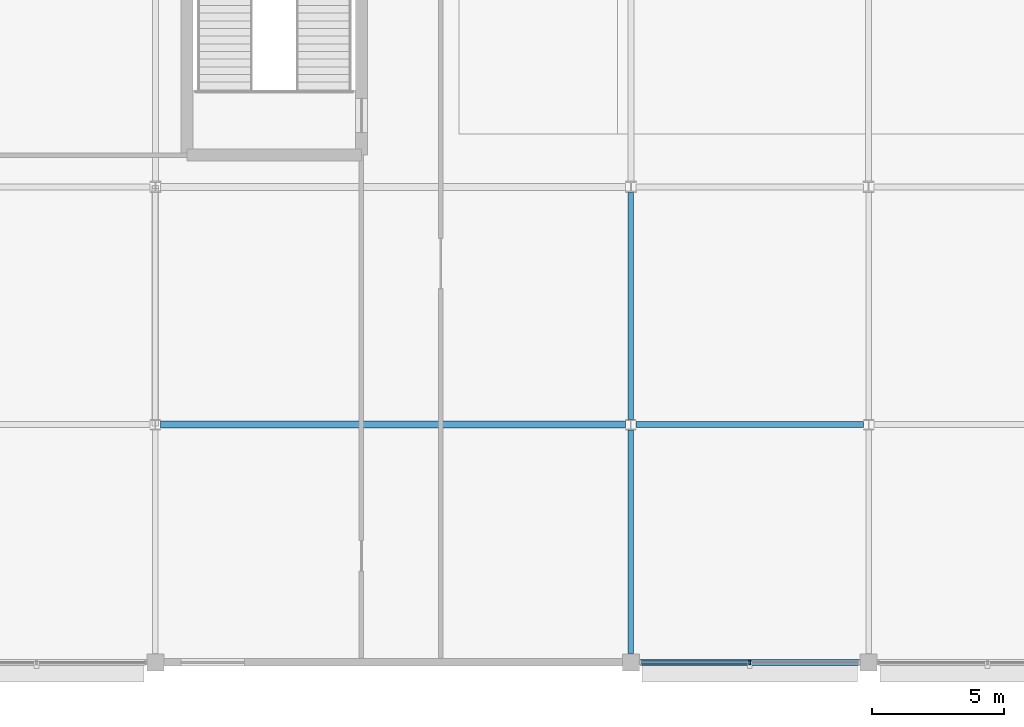
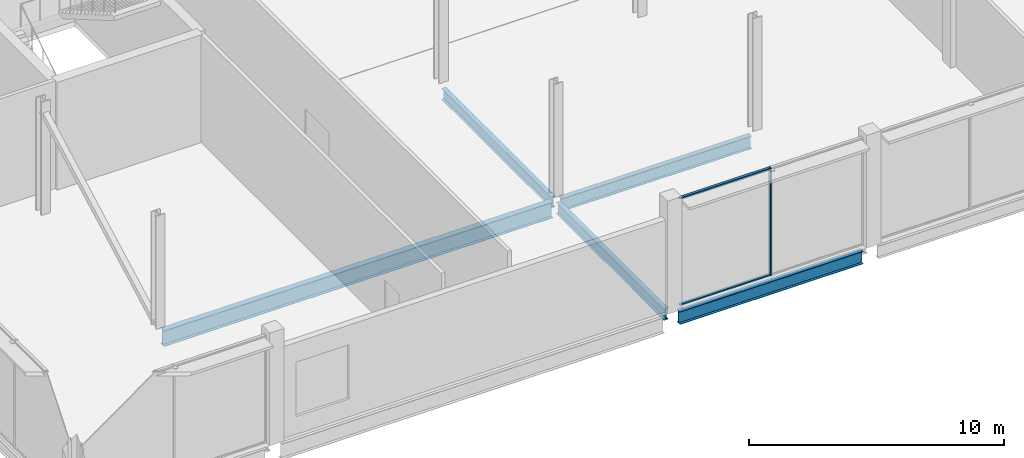
# One storey, part 12 of 113: 5 beams, 3 members, 1 element without a shape of its own.
"""IFC4 building model written with IfcOpenShell, lengths in metres."""

from ifc_helpers import new_model, si_unit, direction, frame, origin, origin_2d, place, context, subcontext, project, spatial, rectangle, i_section, extrude, material, layer, layer_set, material_profile, profile_set, type_object, element, aggregate, save


model = new_model("IFC4")

# Units and contexts
model_context = context("Model", 3, precision=1e-05, world=origin(), true_north=direction((0.0, 1.0)))
body_context = subcontext(model_context, "Body", "Model", "MODEL_VIEW")
ifc_project = project(units=[si_unit("LENGTHUNIT", "METRE"), si_unit("AREAUNIT", "SQUARE_METRE"), si_unit("VOLUMEUNIT", "CUBIC_METRE"), si_unit("PLANEANGLEUNIT", "RADIAN"), si_unit("MASSUNIT", "GRAM", prefix="KILO")], contexts=[model_context])

# Site, building, storey
site_placement = place(None, origin())
site = spatial("IfcSite", under=ifc_project, at=site_placement, CompositionType="ELEMENT")
building_placement = place(site_placement, origin())
building = spatial("IfcBuilding", under=site, at=building_placement, Name="Kisiwana Market Hall", CompositionType="ELEMENT")
storey_placement = place(building_placement, frame((0.0, 0.0, 6.0)))
storey = spatial("IfcBuildingStorey", under=building, at=storey_placement, Name="L01", CompositionType="ELEMENT", Elevation=6.0)

# Beams
ifc_material_1 = material(Name="Steel S355", Category="steel")
ifc_material_profile_1 = material_profile(ifc_material_1, i_section(OverallWidth=0.209228515625, OverallDepth=0.533203125, WebThickness=0.010009765625, FlangeThickness=0.015625, at=origin_2d()), Name="UB 533x210x92")
ifc_profile_set_1 = profile_set([ifc_material_profile_1], Name="Steel S355")
beam_type_1 = type_object("IfcBeamType", Name="BM-GIRD-UB533", PredefinedType="BEAM", material=ifc_profile_set_1)
beam_1_placement = place(storey_placement, frame((27.0, 0.345947265625, -0.5166015625), z_axis=(0.0, 1.0, 0.0), x_axis=(-1.0, 0.0, 0.0)))
element("IfcBeam", 1, at=beam_1_placement, inside=storey, type_object=beam_type_1, Name="Primary girder B-0339", PredefinedType="BEAM", context=body_context, shape_type="SweptSolid", body=[
    extrude(i_section(OverallWidth=0.209228515625, OverallDepth=0.533203125, WebThickness=0.010009765625, FlangeThickness=0.015625, at=origin_2d()), origin(), (0.0, 0.0, 1.0), 8.454833984375),
])
beam_2_placement = place(storey_placement, frame((27.0, 9.19921875, -0.5166015625), z_axis=(0.0, 1.0, 0.0), x_axis=(-1.0, 0.0, 0.0)))
element("IfcBeam", 2, at=beam_2_placement, inside=storey, type_object=beam_type_1, Name="Primary girder B-0340", PredefinedType="BEAM", context=body_context, shape_type="SweptSolid", body=[
    extrude(i_section(OverallWidth=0.209228515625, OverallDepth=0.533203125, WebThickness=0.010009765625, FlangeThickness=0.015625, at=origin_2d()), origin(), (0.0, 0.0, 1.0), 8.58740234375),
])
ifc_material_2 = material(Name="Steel S355", Category="steel")
ifc_material_profile_2 = material_profile(ifc_material_2, i_section(OverallWidth=0.22900390625, OverallDepth=0.6123046875, WebThickness=0.011962890625, FlangeThickness=0.01953125, at=origin_2d()), Name="UB 610x229x125")
ifc_profile_set_2 = profile_set([ifc_material_profile_2], Name="Steel S355")
beam_type_2 = type_object("IfcBeamType", Name="BM-GIRD-UB610H", PredefinedType="BEAM", material=ifc_profile_set_2)
beam_3_placement = place(storey_placement, frame((27.345947265625, 0.0, -0.55615234375), z_axis=(1.0, 0.0, 0.0), x_axis=(0.0, 1.0, 0.0)))
element("IfcBeam", 3, at=beam_3_placement, inside=storey, type_object=beam_type_2, Name="Floor beam B-0451", PredefinedType="BEAM", context=body_context, shape_type="SweptSolid", body=[
    extrude(i_section(OverallWidth=0.22900390625, OverallDepth=0.6123046875, WebThickness=0.011962890625, FlangeThickness=0.01953125, at=origin_2d()), origin(), (0.0, 0.0, 1.0), 8.30810546875),
])
beam_4_placement = place(storey_placement, frame((27.197509765625, 9.0, -0.55615234375), z_axis=(1.0, 0.0, 0.0), x_axis=(0.0, 1.0, 0.0)))
element("IfcBeam", 4, at=beam_4_placement, inside=storey, type_object=beam_type_2, Name="Floor beam B-0465", PredefinedType="BEAM", context=body_context, shape_type="SweptSolid", body=[
    extrude(i_section(OverallWidth=0.22900390625, OverallDepth=0.6123046875, WebThickness=0.011962890625, FlangeThickness=0.01953125, at=origin_2d()), origin(), (0.0, 0.0, 1.0), 8.60498046875),
])
ifc_material_3 = material(Name="Steel S355", Category="steel")
ifc_material_profile_3 = material_profile(ifc_material_3, i_section(OverallWidth=0.2666015625, OverallDepth=0.76220703125, WebThickness=0.014404296875, FlangeThickness=0.021484375, at=origin_2d()), Name="UB 762x267x173")
ifc_profile_set_3 = profile_set([ifc_material_profile_3], Name="Steel S355")
beam_type_3 = type_object("IfcBeamType", Name="BM-GIRD-UB762", PredefinedType="BEAM", material=ifc_profile_set_3)
beam_5_placement = place(storey_placement, frame((9.197509765625, 9.0, -0.631103515625), z_axis=(1.0, 0.0, 0.0), x_axis=(0.0, 1.0, 0.0)))
element("IfcBeam", 5, at=beam_5_placement, inside=storey, type_object=beam_type_3, Name="Floor beam B-0464", PredefinedType="BEAM", context=body_context, shape_type="SweptSolid", body=[
    extrude(i_section(OverallWidth=0.2666015625, OverallDepth=0.76220703125, WebThickness=0.014404296875, FlangeThickness=0.021484375, at=origin_2d()), origin(), (0.0, 0.0, 1.0), 17.60498046875),
])

# Curtain wall, members
ifc_material_4 = material(Name="Double-glazed solar-control low-E IGU", Category="glass")
ifc_layer = layer(ifc_material_4, 0.159912109375)
ifc_layer_set = layer_set([ifc_layer], Name="CW-FC-S-7600")
curtain_wall_type = type_object("IfcCurtainWallType", Name="CW-FC-S-7600", PredefinedType="USERDEFINED", material=ifc_layer_set)
curtain_wall_placement = place(storey_placement, origin())
curtain_wall = element("IfcCurtainWall", 6, at=curtain_wall_placement, inside=storey, type_object=curtain_wall_type, Name="Unitised curtain wall CW-006 (L01)", ObjectType="UNITISED CURTAIN WALL", PredefinedType="USERDEFINED")
ifc_material_5 = material(Name="Aluminium alloy 6063-T6", Category="aluminium")
ifc_material_profile_4 = material_profile(ifc_material_5, rectangle(XDim=0.06005859375, YDim=0.159912109375, at=origin_2d()), Name="ALU MULLION 60x160")
ifc_profile_set_4 = profile_set([ifc_material_profile_4], Name="Aluminium alloy 6063-T6")
member_type_1 = type_object("IfcMemberType", Name="CW-MULL-60x160", PredefinedType="MULLION", material=ifc_profile_set_4)
member_1_placement = place(storey_placement, frame((31.5, 0.0, 0.0), z_axis=(0.0, 0.0, 1.0), x_axis=(1.0, 0.0, 0.0)))
member_1 = element("IfcMember", 7, at=member_1_placement, type_object=member_type_1, Name="CW-006 mullion 2", PredefinedType="MULLION", context=body_context, shape_type="SweptSolid", body=[
    extrude(rectangle(XDim=0.06005859375, YDim=0.159912109375, at=origin_2d()), origin(), (0.0, 0.0, 1.0), 5.14990234375),
])
ifc_material_6 = material(Name="Aluminium alloy 6063-T6", Category="aluminium")
ifc_material_profile_5 = material_profile(ifc_material_6, rectangle(XDim=0.1201171875, YDim=0.06005859375, at=origin_2d()), Name="ALU TRANSOM 60x120")
ifc_profile_set_5 = profile_set([ifc_material_profile_5], Name="Aluminium alloy 6063-T6")
member_type_2 = type_object("IfcMemberType", Name="CW-TRAN-60x120", PredefinedType="USERDEFINED", material=ifc_profile_set_5)
member_2_placement = place(storey_placement, frame((27.385009765625, 0.0, 0.030029296875), z_axis=(1.0, 0.0, 0.0), x_axis=(0.0, 1.0, 0.0)))
member_2 = element("IfcMember", 8, at=member_2_placement, type_object=member_type_2, Name="CW-006 transom 1.1", ObjectType="TRANSOM", PredefinedType="USERDEFINED", context=body_context, shape_type="SweptSolid", body=[
    extrude(rectangle(XDim=0.1201171875, YDim=0.06005859375, at=origin_2d()), origin(), (0.0, 0.0, 1.0), 4.0849609375),
])
member_3_placement = place(storey_placement, frame((27.385009765625, 0.0, 5.1201171875), z_axis=(1.0, 0.0, 0.0), x_axis=(0.0, 1.0, 0.0)))
member_3 = element("IfcMember", 9, at=member_3_placement, type_object=member_type_2, Name="CW-006 transom 1.2", ObjectType="TRANSOM", PredefinedType="USERDEFINED", context=body_context, shape_type="SweptSolid", body=[
    extrude(rectangle(XDim=0.1201171875, YDim=0.06005859375, at=origin_2d()), origin(), (0.0, 0.0, 1.0), 4.0849609375),
])
aggregate(curtain_wall, [member_1, member_2, member_3])

save(model, "model.ifc")
